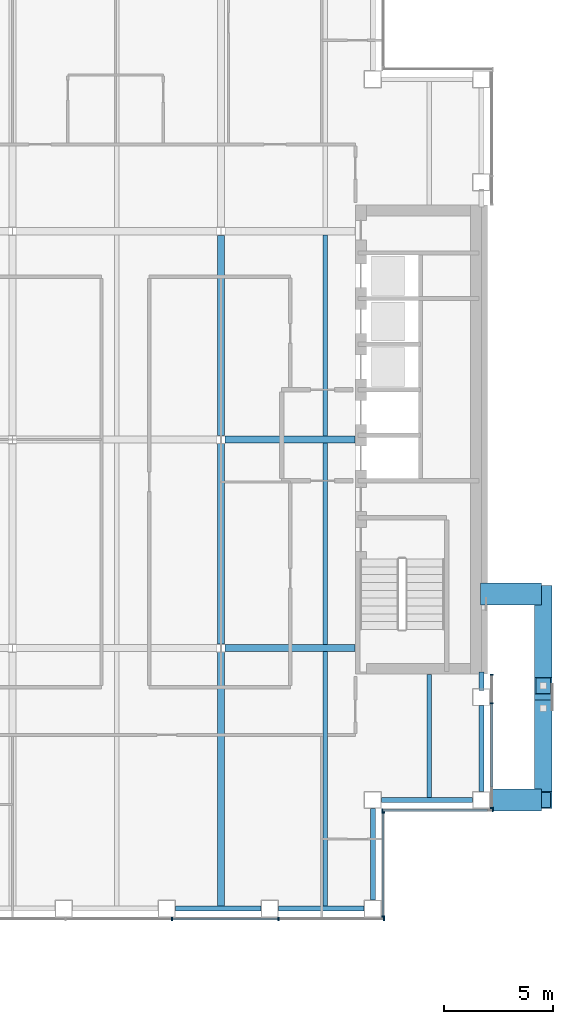
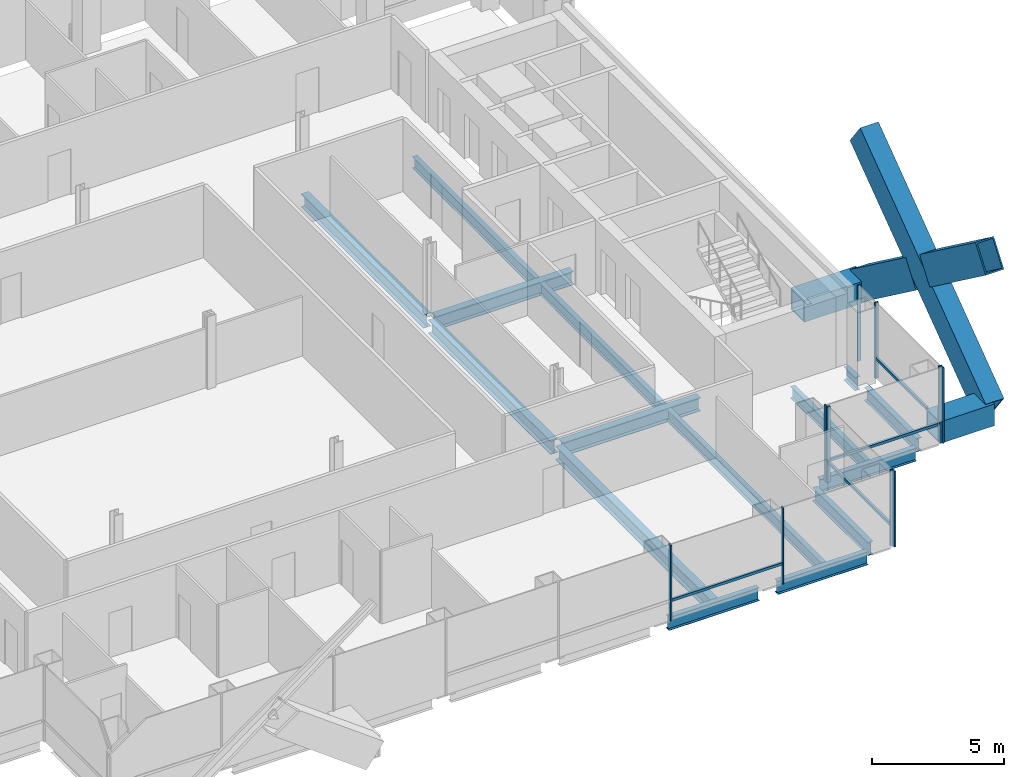
# One storey, part 5 of 14: 17 beams, 17 members, 4 elements without a shape of their own.
"""IFC4 building model written with IfcOpenShell, lengths in metres."""

import ifcopenshell
import ifcopenshell.guid

model = None  # the IFC model being written
_history = None  # IfcOwnerHistory: only IFC2X3 demands one
_inside = {}  # id of a spatial element -> (the spatial element, [elements in it])
_under = {}  # id of a project, library or spatial element -> (it, [spatial elements below it])
_declared = {}  # id of a project -> (the project, [libraries it declares])
_typed = {}  # id of a type object -> (the type object, [elements of that type])
_made_of = {}  # id of a material, layer set ... -> (it, [elements and type objects made of it])


def new_model(schema):
    """Start an empty IFC model of exactly this schema.

    Asked for "IFC4X3", IfcOpenShell would pick the latest addendum, in which some entities
    have other attributes; the version numbers below select the first issue.
    IFC2X3 requires an IfcOwnerHistory on every rooted entity: one is made here for all.
    """
    global model, _history
    if schema == "IFC4X3":
        model = ifcopenshell.file(schema_version=(4, 3, 0, 0))
    else:
        model = ifcopenshell.file(schema=schema)
    _inside.clear()
    _under.clear()
    _declared.clear()
    _typed.clear()
    _made_of.clear()
    _history = None
    if model.schema == "IFC2X3":
        org = make("IfcOrganization", Name="unknown")
        user = make(
            "IfcPersonAndOrganization",
            ThePerson=make("IfcPerson", FamilyName="unknown"),
            TheOrganization=org,
        )
        app = make(
            "IfcApplication",
            ApplicationDeveloper=org,
            Version="unknown",
            ApplicationFullName="unknown",
            ApplicationIdentifier="unknown",
        )
        _history = make(
            "IfcOwnerHistory",
            OwningUser=user,
            OwningApplication=app,
            ChangeAction="ADDED",
            CreationDate=0,
        )
    return model


def make(cls, **values):
    """One entity of the class cls with the attributes given. An attribute that is None is left unset."""
    return model.create_entity(
        cls, **{name: value for name, value in values.items() if value is not None}
    )


def rooted(cls, **values):
    """An entity with a GlobalId (a new one), such as an element, a storey or a relation."""
    return make(cls, GlobalId=ifcopenshell.guid.new(), OwnerHistory=_history, **values)


def si_unit(unit_type, name, prefix=None):
    """IfcSIUnit, for example si_unit("LENGTHUNIT", "METRE", prefix="MILLI")."""
    return make("IfcSIUnit", UnitType=unit_type, Prefix=prefix, Name=name)


def assignment(units):
    """IfcUnitAssignment: the units of a project."""
    return None if units is None else make("IfcUnitAssignment", Units=units)


def point(xyz):
    """IfcCartesianPoint."""
    return None if xyz is None else make("IfcCartesianPoint", Coordinates=xyz)


def direction(xyz):
    """IfcDirection."""
    return None if xyz is None else make("IfcDirection", DirectionRatios=xyz)


def frame(location, z_axis=None, x_axis=None):
    """IfcAxis2Placement3D, a coordinate frame: its origin and axes. An axis left out is left unset."""
    return make(
        "IfcAxis2Placement3D",
        Location=point(location),
        Axis=direction(z_axis),
        RefDirection=direction(x_axis),
    )


def frame_2d(location, x_axis=None):
    """IfcAxis2Placement2D, a coordinate frame in the plane: its origin and x axis."""
    return make(
        "IfcAxis2Placement2D", Location=point(location), RefDirection=direction(x_axis)
    )


def origin():
    """The frame at (0, 0, 0) with its axes left unset."""
    return frame((0.0, 0.0, 0.0))


def origin_2d():
    """The frame at (0, 0) in the plane with its x axis left unset."""
    return frame_2d((0.0, 0.0))


def place(relative_to, where):
    """IfcLocalPlacement: puts the frame where relative to a parent placement (None: the world)."""
    return make(
        "IfcLocalPlacement", PlacementRelTo=relative_to, RelativePlacement=where
    )


def context(
    kind, dimensions, precision=None, world=None, true_north=None, identifier=None
):
    """IfcGeometricRepresentationContext, for example the 3D "Model" context."""
    return make(
        "IfcGeometricRepresentationContext",
        ContextIdentifier=identifier,
        ContextType=kind,
        CoordinateSpaceDimension=dimensions,
        Precision=precision,
        WorldCoordinateSystem=world,
        TrueNorth=true_north,
    )


def subcontext(parent, identifier, kind, view, scale=None):
    """IfcGeometricRepresentationSubContext, for example "Body" below "Model"."""
    return make(
        "IfcGeometricRepresentationSubContext",
        ContextIdentifier=identifier,
        ContextType=kind,
        ParentContext=parent,
        TargetScale=scale,
        TargetView=view,
    )


def project(units=None, contexts=None):
    """IfcProject with its units and contexts."""
    return rooted(
        "IfcProject",
        Name="project",
        RepresentationContexts=contexts,
        UnitsInContext=assignment(units),
    )


def spatial(cls, under=None, at=None, **own):
    """A site, building, storey or space (cls), placed at a placement, below another one or the project."""
    s = rooted(cls, ObjectPlacement=at, **own)
    if under is not None:
        _under.setdefault(under.id(), (under, []))[1].append(s)
    return s


def profile(cls, at=None, kind="AREA", **sizes):
    """A parametric profile (cls). Its sizes go by their IFC names, for example OverallWidth=200.0."""
    return make(cls, ProfileType=kind, Position=at, **sizes)


def rectangle(**sizes):
    """IfcRectangleProfileDef."""
    return profile("IfcRectangleProfileDef", **sizes)


def hollow_rectangle(**sizes):
    """IfcRectangleHollowProfileDef."""
    return profile("IfcRectangleHollowProfileDef", **sizes)


def i_section(**sizes):
    """IfcIShapeProfileDef."""
    return profile("IfcIShapeProfileDef", **sizes)


def extrude(swept, where, along, depth):
    """IfcExtrudedAreaSolid: the profile swept, set in the frame where, extruded along a direction by depth."""
    return make(
        "IfcExtrudedAreaSolid",
        SweptArea=swept,
        Position=where,
        ExtrudedDirection=direction(along),
        Depth=depth,
    )


def shape(context_of_items, identifier, shape_type, items):
    """IfcShapeRepresentation: the items that make up one representation, for example the "Body"."""
    return make(
        "IfcShapeRepresentation",
        ContextOfItems=context_of_items,
        RepresentationIdentifier=identifier,
        RepresentationType=shape_type,
        Items=items,
    )


def material(Name=None, Category=None):
    """IfcMaterial."""
    return make("IfcMaterial", Name=Name, Category=Category)


def material_profile(
    of_material, cross_section, Name=None, Category=None, Priority=None
):
    """IfcMaterialProfile: a cross section and its material."""
    return make(
        "IfcMaterialProfile",
        Name=Name,
        Material=of_material,
        Profile=cross_section,
        Priority=Priority,
        Category=Category,
    )


def profile_set(profiles, Name=None, composite=None):
    """IfcMaterialProfileSet."""
    return make(
        "IfcMaterialProfileSet",
        Name=Name,
        MaterialProfiles=profiles,
        CompositeProfile=composite,
    )


def made_of(thing, what):
    """Note that an element or type object is made of a material, layer set ...; save() writes the relation."""
    if what is not None:
        _made_of.setdefault(what.id(), (what, []))[1].append(thing)
    return thing


def type_object(cls, material=None, **own):
    """A type object (cls), such as IfcWallType, which elements share."""
    return made_of(rooted(cls, **own), material)


def element(
    cls,
    number,
    at=None,
    inside=None,
    cuts=None,
    type_object=None,
    material=None,
    context=None,
    identifier="Body",
    shape_type=None,
    held_by="IfcProductDefinitionShape",
    body=None,
    shapes=None,
    **own,
):
    """One element of the class cls, such as IfcWall. Its Tag is "e" and its number.

    at: its placement. inside: the storey or other place that contains it. cuts: it is an
    opening in that element (IfcRelVoidsElement). A single representation is given by context,
    identifier, shape_type and body (its items); several are given by shapes. held_by: the class
    of the entity that holds the representations. save() writes the other relations.
    """
    e = rooted(cls, Tag="e%d" % number, ObjectPlacement=at, **own)
    if body is not None:
        shapes = [shape(context, identifier, shape_type, body)]
    if shapes is not None:
        e.Representation = make(held_by, Representations=shapes)
    if inside is not None:
        _inside.setdefault(inside.id(), (inside, []))[1].append(e)
    if cuts is not None:
        rooted(
            "IfcRelVoidsElement", RelatingBuildingElement=cuts, RelatedOpeningElement=e
        )
    if type_object is not None:
        _typed.setdefault(type_object.id(), (type_object, []))[1].append(e)
    return made_of(e, material)


def aggregate(whole, parts):
    """IfcRelAggregates: a whole, such as a stair, and the parts it consists of."""
    return rooted("IfcRelAggregates", RelatingObject=whole, RelatedObjects=parts)


def save(model, path):
    """Write the relations noted so far, then the file.

    IfcRelAggregates (storeys below a building ...), IfcRelContainedInSpatialStructure (elements
    in a storey), IfcRelDefinesByType, IfcRelAssociatesMaterial and IfcRelDeclares: one each for
    every whole, place, type object, material and project.
    """
    for whole, parts in _under.values():
        aggregate(whole, parts)
    for where, things in _inside.values():
        rooted(
            "IfcRelContainedInSpatialStructure",
            RelatedElements=things,
            RelatingStructure=where,
        )
    for kind, things in _typed.values():
        rooted("IfcRelDefinesByType", RelatedObjects=things, RelatingType=kind)
    for what, things in _made_of.values():
        rooted("IfcRelAssociatesMaterial", RelatedObjects=things, RelatingMaterial=what)
    for by, libraries in _declared.values():
        rooted("IfcRelDeclares", RelatingContext=by, RelatedDefinitions=libraries)
    model.write(path)


model = new_model("IFC4")

# Units and contexts
model_context = context("Model", 3, precision=1e-05, world=origin(), true_north=direction((0.0, 1.0)))
body_context = subcontext(model_context, "Body", "Model", "MODEL_VIEW")
ifc_project = project(units=[si_unit("LENGTHUNIT", "METRE"), si_unit("AREAUNIT", "SQUARE_METRE"), si_unit("VOLUMEUNIT", "CUBIC_METRE"), si_unit("PLANEANGLEUNIT", "RADIAN"), si_unit("MASSUNIT", "GRAM", prefix="KILO")], contexts=[model_context])

# Site, building, storey
site_placement = place(None, origin())
site = spatial("IfcSite", under=ifc_project, at=site_placement, CompositionType="ELEMENT")
building_placement = place(site_placement, origin())
building = spatial("IfcBuilding", under=site, at=building_placement, Name="Cobrizo Arcos Hotel Tower", CompositionType="ELEMENT")
storey_placement = place(building_placement, frame((0.0, 0.0, 179.5)))
storey = spatial("IfcBuildingStorey", under=building, at=storey_placement, Name="L46", CompositionType="ELEMENT", Elevation=179.5)

# Beams
ifc_material_1 = material(Name="Steel ASTM A572 Grade 50", Category="steel")
ifc_material_profile_1 = material_profile(ifc_material_1, hollow_rectangle(XDim=1.0, YDim=1.0, WallThickness=0.06005859375, at=origin_2d()), Name="BOX 1000X1000X60")
ifc_profile_set_1 = profile_set([ifc_material_profile_1], Name="Steel ASTM A572 Grade 50")
beam_type_1 = type_object("IfcBeamType", Name="BOX 1000X1000X60 brace connector strut", PredefinedType="BEAM", material=ifc_profile_set_1)
beam_1_placement = place(storey_placement, frame((21.550048828125, -7.1142578125, 0.5), z_axis=(1.0, 0.0, 0.0), x_axis=(0.0, 1.0, 0.0)))
element("IfcBeam", 1, at=beam_1_placement, inside=storey, type_object=beam_type_1, Name="Perimeter brace stub BS1, zone Z3, east face, offset -7.11 m, L46", PredefinedType="BEAM", context=body_context, shape_type="SweptSolid", body=[
    extrude(hollow_rectangle(XDim=1.0, YDim=1.0, WallThickness=0.06005859375, at=origin_2d()), origin(), (0.0, 0.0, 1.0), 2.820068359375),
])
beam_2_placement = place(storey_placement, frame((21.989990234375, -16.60009765625, 0.5), z_axis=(1.0, 0.0, 0.0), x_axis=(0.0, 1.0, 0.0)))
element("IfcBeam", 2, at=beam_2_placement, inside=storey, type_object=beam_type_1, Name="Perimeter brace stub BS1, zone Z3, east face, offset -16.60 m, L46", PredefinedType="BEAM", context=body_context, shape_type="SweptSolid", body=[
    extrude(hollow_rectangle(XDim=1.0, YDim=1.0, WallThickness=0.06005859375, at=origin_2d()), origin(), (0.0, 0.0, 1.0), 2.380126953125),
])

# Members
ifc_material_profile_2 = material_profile(ifc_material_1, hollow_rectangle(XDim=0.800048828125, YDim=1.300048828125, WallThickness=0.06005859375, at=origin_2d()), Name="BOX 800X1300X60")
ifc_profile_set_2 = profile_set([ifc_material_profile_2], Name="Steel ASTM A572 Grade 50")
member_type_1 = type_object("IfcMemberType", Name="BOX 800X1300X60 perimeter brace", PredefinedType="BRACE", material=ifc_profile_set_2)
member_1_placement = place(storey_placement, frame((24.449951171875, -16.60009765625, 0.5), z_axis=(0.0, 0.804632973186, 0.593772497225), x_axis=(-1.0, 0.0, 0.0)))
element("IfcMember", 3, at=member_1_placement, inside=storey, type_object=member_type_1, Name="Perimeter brace PBR3, zone Z3, east face, no. 18", PredefinedType="BRACE", context=body_context, shape_type="SweptSolid", body=[
    extrude(hollow_rectangle(XDim=0.800048828125, YDim=1.300048828125, WallThickness=0.06005859375, at=origin_2d()), origin(), (0.0, 0.0, 1.0), 11.7890625),
])
for number, where, z_axis, x_axis, name in (
    (4, (24.449951171875, -7.1142578125, 0.5), (0.0, -0.804623858684, 0.593784848271), (1.0, 0.0, 0.0), "Perimeter brace PBR3, zone Z3, east face, no. 19"),
    (5, (24.449951171875, -12.38037109375, 4.385986328125), (0.0, -0.804623858684, 0.593784848271), (1.0, 0.0, 0.0), "Perimeter brace PBR3, zone Z3, east face, no. 19b"),
):
    element("IfcMember", number, at=place(storey_placement, frame(where, z_axis=z_axis, x_axis=x_axis)), inside=storey, type_object=member_type_1, Name=name, PredefinedType="BRACE", context=body_context, shape_type="SweptSolid", body=[
        extrude(hollow_rectangle(XDim=0.800048828125, YDim=1.300048828125, WallThickness=0.06005859375, at=origin_2d()), origin(), (0.0, 0.0, 1.0), 5.244384765625),
    ])

# Curtain wall, members
ifc_material_2 = material(Name="Aluminium 6063-T6 anodised bronze", Category="aluminium")
curtain_wall_type = type_object("IfcCurtainWallType", Name="CW-A guest facade", PredefinedType="NOTDEFINED", material=ifc_material_2)
curtain_wall_1_placement = place(storey_placement, origin())
curtain_wall_1 = element("IfcCurtainWall", 6, at=curtain_wall_1_placement, inside=storey, type_object=curtain_wall_type, Name="CW-A L46 S face", PredefinedType="NOTDEFINED")
ifc_material_profile_3 = material_profile(ifc_material_2, rectangle(XDim=0.14990234375, YDim=0.06005859375, at=origin_2d()), Name="CW-A mullion 150x60")
ifc_profile_set_3 = profile_set([ifc_material_profile_3], Name="Aluminium 6063-T6 anodised bronze")
member_type_2 = type_object("IfcMemberType", Name="CW-A mullion 150x60", PredefinedType="MULLION", material=ifc_profile_set_3)
member_2_placement = place(storey_placement, frame((7.35009765625, -22.074951171875, 0.0), z_axis=(0.0, 0.0, 1.0), x_axis=(0.0, -1.0, 0.0)))
member_2 = element("IfcMember", 7, at=member_2_placement, type_object=member_type_2, Name="CW-A mullion 6", PredefinedType="MULLION", context=body_context, shape_type="SweptSolid", body=[
    extrude(rectangle(XDim=0.14990234375, YDim=0.06005859375, at=origin_2d()), origin(), (0.0, 0.0, 1.0), 3.5),
])
member_3_placement = place(storey_placement, frame((12.25, -22.074951171875, 0.0), z_axis=(0.0, 0.0, 1.0), x_axis=(0.0, -1.0, 0.0)))
member_3 = element("IfcMember", 8, at=member_3_placement, type_object=member_type_2, Name="CW-A mullion 7", PredefinedType="MULLION", context=body_context, shape_type="SweptSolid", body=[
    extrude(rectangle(XDim=0.14990234375, YDim=0.06005859375, at=origin_2d()), origin(), (0.0, 0.0, 1.0), 3.5),
])
member_4_placement = place(storey_placement, frame((17.1201171875, -22.074951171875, 0.0), z_axis=(0.0, 0.0, 1.0), x_axis=(0.0, -1.0, 0.0)))
member_4 = element("IfcMember", 9, at=member_4_placement, type_object=member_type_2, Name="CW-A mullion 8", PredefinedType="MULLION", context=body_context, shape_type="SweptSolid", body=[
    extrude(rectangle(XDim=0.14990234375, YDim=0.06005859375, at=origin_2d()), origin(), (0.0, 0.0, 1.0), 3.5),
])

curtain_wall_2_placement = place(storey_placement, origin())
curtain_wall_2 = element("IfcCurtainWall", 10, at=curtain_wall_2_placement, inside=storey, type_object=curtain_wall_type, Name="CW-A L46 E face", PredefinedType="NOTDEFINED")
member_5_placement = place(storey_placement, frame((17.074951171875, -21.969970703125, 0.0), z_axis=(0.0, 0.0, 1.0), x_axis=(1.0, 0.0, 0.0)))
member_5 = element("IfcMember", 11, at=member_5_placement, type_object=member_type_2, Name="CW-A mullion 1", PredefinedType="MULLION", context=body_context, shape_type="SweptSolid", body=[
    extrude(rectangle(XDim=0.14990234375, YDim=0.06005859375, at=origin_2d()), origin(), (0.0, 0.0, 1.0), 3.5),
])
member_6_placement = place(storey_placement, frame((17.074951171875, -17.179931640625, 0.0), z_axis=(0.0, 0.0, 1.0), x_axis=(1.0, 0.0, 0.0)))
member_6 = element("IfcMember", 12, at=member_6_placement, type_object=member_type_2, Name="CW-A mullion 2", PredefinedType="MULLION", context=body_context, shape_type="SweptSolid", body=[
    extrude(rectangle(XDim=0.14990234375, YDim=0.06005859375, at=origin_2d()), origin(), (0.0, 0.0, 1.0), 3.5),
])

curtain_wall_3_placement = place(storey_placement, origin())
curtain_wall_3 = element("IfcCurtainWall", 13, at=curtain_wall_3_placement, inside=storey, type_object=curtain_wall_type, Name="CW-A L46 S face", PredefinedType="NOTDEFINED")
member_7_placement = place(storey_placement, frame((17.030029296875, -17.074951171875, 0.0), z_axis=(0.0, 0.0, 1.0), x_axis=(0.0, -1.0, 0.0)))
member_7 = element("IfcMember", 14, at=member_7_placement, type_object=member_type_2, Name="CW-A mullion 1", PredefinedType="MULLION", context=body_context, shape_type="SweptSolid", body=[
    extrude(rectangle(XDim=0.14990234375, YDim=0.06005859375, at=origin_2d()), origin(), (0.0, 0.0, 1.0), 3.5),
])
member_8_placement = place(storey_placement, frame((22.1201171875, -17.074951171875, 0.0), z_axis=(0.0, 0.0, 1.0), x_axis=(0.0, -1.0, 0.0)))
member_8 = element("IfcMember", 15, at=member_8_placement, type_object=member_type_2, Name="CW-A mullion 2", PredefinedType="MULLION", context=body_context, shape_type="SweptSolid", body=[
    extrude(rectangle(XDim=0.14990234375, YDim=0.06005859375, at=origin_2d()), origin(), (0.0, 0.0, 1.0), 3.5),
])

curtain_wall_4_placement = place(storey_placement, origin())
curtain_wall_4 = element("IfcCurtainWall", 16, at=curtain_wall_4_placement, inside=storey, type_object=curtain_wall_type, Name="CW-A L46 E face", PredefinedType="NOTDEFINED")
member_9_placement = place(storey_placement, frame((22.074951171875, -16.969970703125, 0.0), z_axis=(0.0, 0.0, 1.0), x_axis=(1.0, 0.0, 0.0)))
member_9 = element("IfcMember", 17, at=member_9_placement, type_object=member_type_2, Name="CW-A mullion 1", PredefinedType="MULLION", context=body_context, shape_type="SweptSolid", body=[
    extrude(rectangle(XDim=0.14990234375, YDim=0.06005859375, at=origin_2d()), origin(), (0.0, 0.0, 1.0), 3.5),
])
member_10_placement = place(storey_placement, frame((22.074951171875, -12.142822265625, 0.0), z_axis=(0.0, 0.0, 1.0), x_axis=(1.0, 0.0, 0.0)))
member_10 = element("IfcMember", 18, at=member_10_placement, type_object=member_type_2, Name="CW-A mullion 2", PredefinedType="MULLION", context=body_context, shape_type="SweptSolid", body=[
    extrude(rectangle(XDim=0.14990234375, YDim=0.06005859375, at=origin_2d()), origin(), (0.0, 0.0, 1.0), 3.5),
])
member_11_placement = place(storey_placement, frame((22.074951171875, -10.830078125, 0.0), z_axis=(0.0, 0.0, 1.0), x_axis=(1.0, 0.0, 0.0)))
member_11 = element("IfcMember", 19, at=member_11_placement, type_object=member_type_2, Name="CW-A mullion 3", PredefinedType="MULLION", context=body_context, shape_type="SweptSolid", body=[
    extrude(rectangle(XDim=0.14990234375, YDim=0.06005859375, at=origin_2d()), origin(), (0.0, 0.0, 1.0), 3.5),
])

# Member
ifc_material_profile_4 = material_profile(ifc_material_2, rectangle(XDim=0.10009765625, YDim=0.1201171875, at=origin_2d()), Name="CW-A transom 120x100")
ifc_profile_set_4 = profile_set([ifc_material_profile_4], Name="Aluminium 6063-T6 anodised bronze")
member_type_3 = type_object("IfcMemberType", Name="CW-A transom 120x100", PredefinedType="USERDEFINED", material=ifc_profile_set_4)
member_12_placement = place(storey_placement, frame((7.3798828125, -22.074951171875, 0.929931640625), z_axis=(1.0, 0.0, 0.0), x_axis=(0.0, 1.0, 0.0)))
member_12 = element("IfcMember", 20, at=member_12_placement, type_object=member_type_3, Name="CW-A transom 1611", ObjectType="TRANSOM", PredefinedType="USERDEFINED", context=body_context, shape_type="SweptSolid", body=[
    extrude(rectangle(XDim=0.10009765625, YDim=0.1201171875, at=origin_2d()), origin(), (0.0, 0.0, 1.0), 4.840087890625),
])

aggregate(curtain_wall_1, [member_2, member_3, member_4, member_12])

member_13_placement = place(storey_placement, frame((17.074951171875, -21.93994140625, 0.929931640625), z_axis=(0.0, 1.0, 0.0), x_axis=(-1.0, 0.0, 0.0)))
member_13 = element("IfcMember", 21, at=member_13_placement, type_object=member_type_3, Name="CW-A transom 1613", ObjectType="TRANSOM", PredefinedType="USERDEFINED", context=body_context, shape_type="SweptSolid", body=[
    extrude(rectangle(XDim=0.10009765625, YDim=0.1201171875, at=origin_2d()), origin(), (0.0, 0.0, 1.0), 4.72998046875),
])

aggregate(curtain_wall_2, [member_5, member_6, member_13])

member_14_placement = place(storey_placement, frame((17.06005859375, -17.074951171875, 0.929931640625), z_axis=(1.0, 0.0, 0.0), x_axis=(0.0, 1.0, 0.0)))
member_14 = element("IfcMember", 22, at=member_14_placement, type_object=member_type_3, Name="CW-A transom 1614", ObjectType="TRANSOM", PredefinedType="USERDEFINED", context=body_context, shape_type="SweptSolid", body=[
    extrude(rectangle(XDim=0.10009765625, YDim=0.1201171875, at=origin_2d()), origin(), (0.0, 0.0, 1.0), 4.829833984375),
])

aggregate(curtain_wall_3, [member_7, member_8, member_14])

member_15_placement = place(storey_placement, frame((22.074951171875, -16.0, 0.929931640625), z_axis=(0.0, 1.0, 0.0), x_axis=(-1.0, 0.0, 0.0)))
member_15 = element("IfcMember", 23, at=member_15_placement, type_object=member_type_3, Name="CW-A transom 1615", ObjectType="TRANSOM", PredefinedType="USERDEFINED", context=body_context, shape_type="SweptSolid", body=[
    extrude(rectangle(XDim=0.10009765625, YDim=0.1201171875, at=origin_2d()), origin(), (0.0, 0.0, 1.0), 3.8271484375),
])

aggregate(curtain_wall_4, [member_9, member_10, member_11, member_15])

# Beams
ifc_material_3 = material(Name="Steel ASTM A992 Grade 50", Category="steel")
ifc_material_profile_5 = material_profile(ifc_material_3, i_section(OverallWidth=0.209228515625, OverallDepth=0.533447265625, WebThickness=0.01025390625, FlangeThickness=0.015625, at=origin_2d()), Name="W21X62")
ifc_profile_set_5 = profile_set([ifc_material_profile_5], Name="Steel ASTM A992 Grade 50")
beam_type_2 = type_object("IfcBeamType", Name="W21X62 joist", PredefinedType="JOIST", material=ifc_profile_set_5)
beam_3_placement = place(storey_placement, frame((14.39990234375, -21.510009765625, -0.416748046875), z_axis=(0.0, 1.0, 0.0), x_axis=(-1.0, 0.0, 0.0)))
element("IfcBeam", 24, at=beam_3_placement, inside=storey, type_object=beam_type_2, Name="Floor joist J1, L46, no. 015", PredefinedType="JOIST", context=body_context, shape_type="SweptSolid", body=[
    extrude(i_section(OverallWidth=0.209228515625, OverallDepth=0.533447265625, WebThickness=0.01025390625, FlangeThickness=0.015625, at=origin_2d()), origin(), (0.0, 0.0, 1.0), 11.74609375),
])
for number, where, z_axis, x_axis, name in (
    (25, (14.39990234375, -9.43603515625, -0.416748046875), (0.0, 1.0, 0.0), (-1.0, 0.0, 0.0), "Floor joist J1, L46, no. 016"),
    (26, (14.39990234375, 0.163818359375, -0.416748046875), (0.0, 1.0, 0.0), (-1.0, 0.0, 0.0), "Floor joist J1, L46, no. 017"),
):
    element("IfcBeam", number, at=place(storey_placement, frame(where, z_axis=z_axis, x_axis=x_axis)), inside=storey, type_object=beam_type_2, Name=name, PredefinedType="JOIST", context=body_context, shape_type="SweptSolid", body=[
        extrude(i_section(OverallWidth=0.209228515625, OverallDepth=0.533447265625, WebThickness=0.01025390625, FlangeThickness=0.015625, at=origin_2d()), origin(), (0.0, 0.0, 1.0), 9.272216796875),
    ])
beam_4_placement = place(storey_placement, frame((19.199951171875, -16.510009765625, -0.416748046875), z_axis=(0.0, 1.0, 0.0), x_axis=(-1.0, 0.0, 0.0)))
element("IfcBeam", 27, at=beam_4_placement, inside=storey, type_object=beam_type_2, Name="Floor joist J1, L46, no. 019", PredefinedType="JOIST", context=body_context, shape_type="SweptSolid", body=[
    extrude(i_section(OverallWidth=0.209228515625, OverallDepth=0.533447265625, WebThickness=0.01025390625, FlangeThickness=0.015625, at=origin_2d()), origin(), (0.0, 0.0, 1.0), 5.699951171875),
])
ifc_material_profile_6 = material_profile(ifc_material_3, i_section(OverallWidth=0.32763671875, OverallDepth=0.622314453125, WebThickness=0.015380859375, FlangeThickness=0.0244140625, at=origin_2d()), Name="W24X131")
ifc_profile_set_6 = profile_set([ifc_material_profile_6], Name="Steel ASTM A992 Grade 50")
beam_type_3 = type_object("IfcBeamType", Name="W24X131 girder", PredefinedType="BEAM", material=ifc_profile_set_6)
for number, where, z_axis, x_axis, name in (
    (28, (9.78662109375, -9.60009765625, -0.461181640625), (1.0, 0.0, 0.0), (0.0, 1.0, 0.0), "Floor girder G1, L46, no. 004"),
    (29, (9.78662109375, 0.0, -0.461181640625), (1.0, 0.0, 0.0), (0.0, 1.0, 0.0), "Floor girder G1, L46, no. 008"),
):
    element("IfcBeam", number, at=place(storey_placement, frame(where, z_axis=z_axis, x_axis=x_axis)), inside=storey, type_object=beam_type_3, Name=name, PredefinedType="BEAM", context=body_context, shape_type="SweptSolid", body=[
        extrude(i_section(OverallWidth=0.32763671875, OverallDepth=0.622314453125, WebThickness=0.015380859375, FlangeThickness=0.0244140625, at=origin_2d()), origin(), (0.0, 0.0, 1.0), 6.00341796875),
    ])
beam_5_placement = place(storey_placement, frame((9.60009765625, -21.510009765625, -0.461181640625), z_axis=(0.0, 1.0, 0.0), x_axis=(-1.0, 0.0, 0.0)))
element("IfcBeam", 30, at=beam_5_placement, inside=storey, type_object=beam_type_3, Name="Floor girder G1, L46, no. 021", PredefinedType="BEAM", context=body_context, shape_type="SweptSolid", body=[
    extrude(i_section(OverallWidth=0.32763671875, OverallDepth=0.622314453125, WebThickness=0.015380859375, FlangeThickness=0.0244140625, at=origin_2d()), origin(), (0.0, 0.0, 1.0), 11.723388671875),
])
for number, where, z_axis, x_axis, name in (
    (31, (9.60009765625, -9.413330078125, -0.461181640625), (0.0, 1.0, 0.0), (-1.0, 0.0, 0.0), "Floor girder G1, L46, no. 022"),
    (32, (9.60009765625, 0.186767578125, -0.461181640625), (0.0, 1.0, 0.0), (-1.0, 0.0, 0.0), "Floor girder G1, L46, no. 023"),
):
    element("IfcBeam", number, at=place(storey_placement, frame(where, z_axis=z_axis, x_axis=x_axis)), inside=storey, type_object=beam_type_3, Name=name, PredefinedType="BEAM", context=body_context, shape_type="SweptSolid", body=[
        extrude(i_section(OverallWidth=0.32763671875, OverallDepth=0.622314453125, WebThickness=0.015380859375, FlangeThickness=0.0244140625, at=origin_2d()), origin(), (0.0, 0.0, 1.0), 9.2265625),
    ])
ifc_material_profile_7 = material_profile(ifc_material_3, i_section(OverallWidth=0.228271484375, OverallDepth=0.607177734375, WebThickness=0.01123046875, FlangeThickness=0.017333984375, at=origin_2d()), Name="W24X76")
ifc_profile_set_7 = profile_set([ifc_material_profile_7], Name="Steel ASTM A992 Grade 50")
beam_type_4 = type_object("IfcBeamType", Name="W24X76 spandrel", PredefinedType="SPANDREL", material=ifc_profile_set_7)
beam_6_placement = place(storey_placement, frame((7.513916015625, -21.60009765625, -0.45361328125), z_axis=(1.0, 0.0, 0.0), x_axis=(0.0, 1.0, 0.0)))
element("IfcBeam", 33, at=beam_6_placement, inside=storey, type_object=beam_type_4, Name="Spandrel beam W24X76, L46, no. 006", PredefinedType="SPANDREL", context=body_context, shape_type="SweptSolid", body=[
    extrude(i_section(OverallWidth=0.228271484375, OverallDepth=0.607177734375, WebThickness=0.01123046875, FlangeThickness=0.017333984375, at=origin_2d()), origin(), (0.0, 0.0, 1.0), 3.943115234375),
])
beam_7_placement = place(storey_placement, frame((12.257080078125, -21.60009765625, -0.45361328125), z_axis=(1.0, 0.0, 0.0), x_axis=(0.0, 1.0, 0.0)))
element("IfcBeam", 34, at=beam_7_placement, inside=storey, type_object=beam_type_4, Name="Spandrel beam W24X76, L46, no. 007", PredefinedType="SPANDREL", context=body_context, shape_type="SweptSolid", body=[
    extrude(i_section(OverallWidth=0.228271484375, OverallDepth=0.607177734375, WebThickness=0.01123046875, FlangeThickness=0.017333984375, at=origin_2d()), origin(), (0.0, 0.0, 1.0), 3.94287109375),
])
for number, where, z_axis, x_axis, name in (
    (35, (16.60009765625, -21.199951171875, -0.45361328125), (0.0, 1.0, 0.0), (-1.0, 0.0, 0.0), "Spandrel beam W24X76, L46, no. 008"),
    (36, (17.0, -16.60009765625, -0.45361328125), (1.0, 0.0, 0.0), (0.0, 1.0, 0.0), "Spandrel beam W24X76, L46, no. 009"),
):
    element("IfcBeam", number, at=place(storey_placement, frame(where, z_axis=z_axis, x_axis=x_axis)), inside=storey, type_object=beam_type_4, Name=name, PredefinedType="SPANDREL", context=body_context, shape_type="SweptSolid", body=[
        extrude(i_section(OverallWidth=0.228271484375, OverallDepth=0.607177734375, WebThickness=0.01123046875, FlangeThickness=0.017333984375, at=origin_2d()), origin(), (0.0, 0.0, 1.0), 4.199951171875),
    ])
beam_8_placement = place(storey_placement, frame((21.60009765625, -16.199951171875, -0.45361328125), z_axis=(0.0, 1.0, 0.0), x_axis=(-1.0, 0.0, 0.0)))
element("IfcBeam", 37, at=beam_8_placement, inside=storey, type_object=beam_type_4, Name="Spandrel beam W24X76, L46, no. 010", PredefinedType="SPANDREL", context=body_context, shape_type="SweptSolid", body=[
    extrude(i_section(OverallWidth=0.228271484375, OverallDepth=0.607177734375, WebThickness=0.01123046875, FlangeThickness=0.017333984375, at=origin_2d()), origin(), (0.0, 0.0, 1.0), 3.94287109375),
])
beam_9_placement = place(storey_placement, frame((21.60009765625, -11.556884765625, -0.45361328125), z_axis=(0.0, 1.0, 0.0), x_axis=(-1.0, 0.0, 0.0)))
element("IfcBeam", 38, at=beam_9_placement, inside=storey, type_object=beam_type_4, Name="Spandrel beam W24X76, L46, no. 011", PredefinedType="SPANDREL", context=body_context, shape_type="SweptSolid", body=[
    extrude(i_section(OverallWidth=0.228271484375, OverallDepth=0.607177734375, WebThickness=0.01123046875, FlangeThickness=0.017333984375, at=origin_2d()), origin(), (0.0, 0.0, 1.0), 0.846923828125),
])

save(model, "model.ifc")
